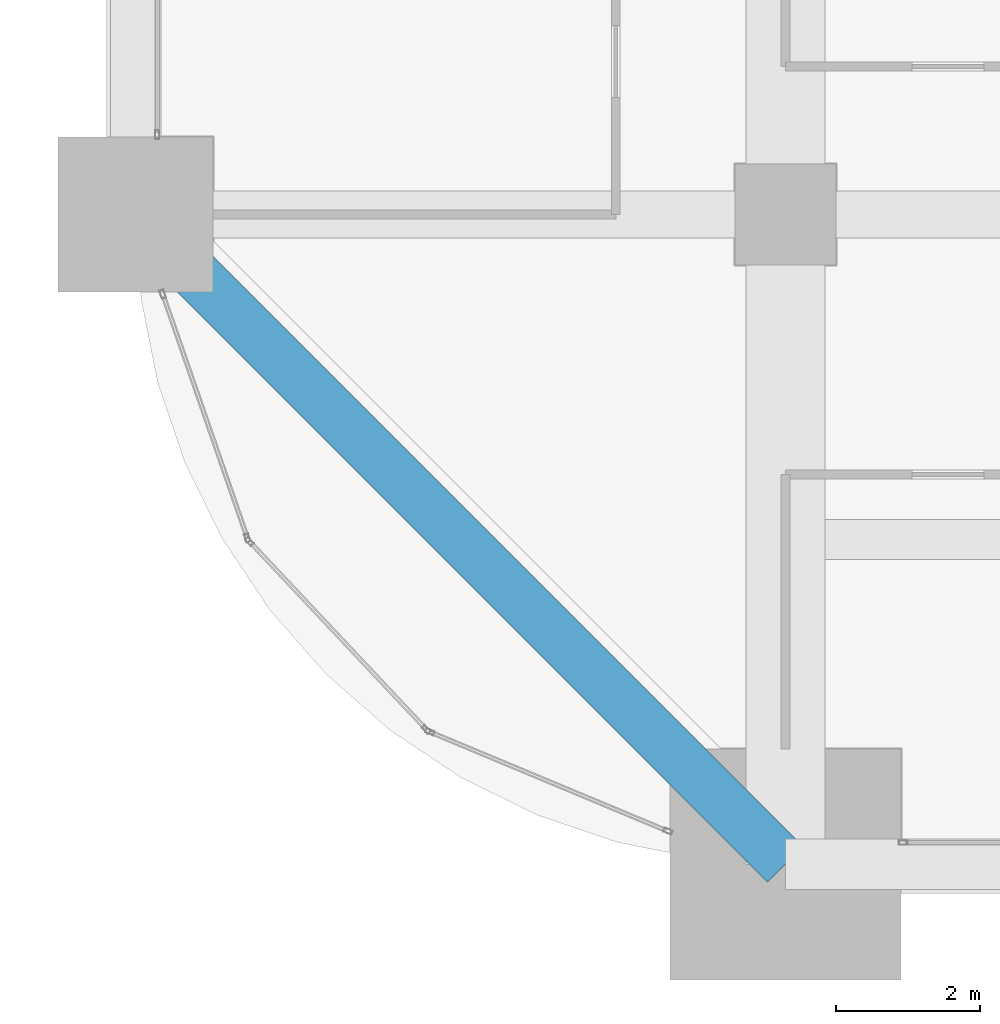
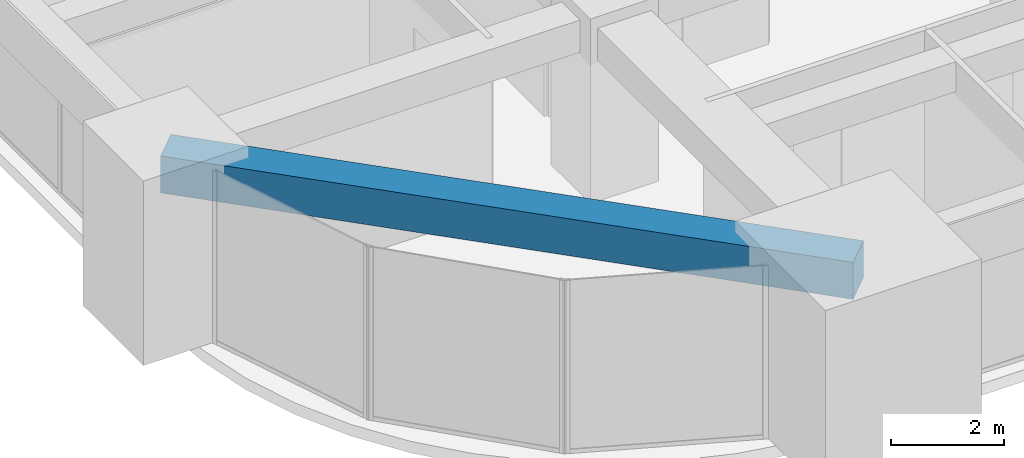
# One storey, part 3 of 43: 1 beam.
"""IFC4 building model written with IfcOpenShell, lengths in metres."""

from ifc_helpers import new_model, si_unit, direction, frame, origin, origin_2d, place, context, subcontext, project, spatial, rectangle, extrude, material, material_profile, profile_set, type_object, element, save


model = new_model("IFC4")

# Units and contexts
model_context = context("Model", 3, precision=1e-05, world=origin(), true_north=direction((0.0, 1.0)))
body_context = subcontext(model_context, "Body", "Model", "MODEL_VIEW")
ifc_project = project(units=[si_unit("LENGTHUNIT", "METRE"), si_unit("AREAUNIT", "SQUARE_METRE"), si_unit("VOLUMEUNIT", "CUBIC_METRE"), si_unit("PLANEANGLEUNIT", "RADIAN"), si_unit("MASSUNIT", "GRAM", prefix="KILO")], contexts=[model_context])

# Site, building, storey
site_placement = place(None, origin())
site = spatial("IfcSite", under=ifc_project, at=site_placement, CompositionType="ELEMENT")
building_placement = place(site_placement, origin())
building = spatial("IfcBuilding", under=site, at=building_placement, Name="Zorevar Civic Tower", CompositionType="ELEMENT")
storey_placement = place(building_placement, frame((0.0, 0.0, 243.39990234375)))
storey = spatial("IfcBuildingStorey", under=building, at=storey_placement, Name="L59", CompositionType="ELEMENT", Elevation=243.39990234375)

# Beam
ifc_material = material(Name="Concrete C50/60", Category="concrete")
ifc_material_profile = material_profile(ifc_material, rectangle(XDim=0.699951171875, YDim=0.800048828125, at=origin_2d()), Name="RC 700x800")
ifc_profile_set = profile_set([ifc_material_profile], Name="Concrete C50/60")
beam_type = type_object("IfcBeamType", Name="Edge beam RC 700x800", PredefinedType="SPANDREL", material=ifc_profile_set)
beam_placement = place(storey_placement, frame((9.0, 9.0, 3.35009765625), z_axis=(0.707106781187, -0.707106781187, 0.0), x_axis=(0.707106781187, 0.707106781187, 0.0)))
element("IfcBeam", 1, at=beam_placement, inside=storey, type_object=beam_type, Name="Corner edge beam L60", PredefinedType="SPANDREL", context=body_context, shape_type="SweptSolid", body=[
    extrude(rectangle(XDim=0.699951171875, YDim=0.800048828125, at=origin_2d()), origin(), (0.0, 0.0, 1.0), 12.72802734375),
])

save(model, "model.ifc")
